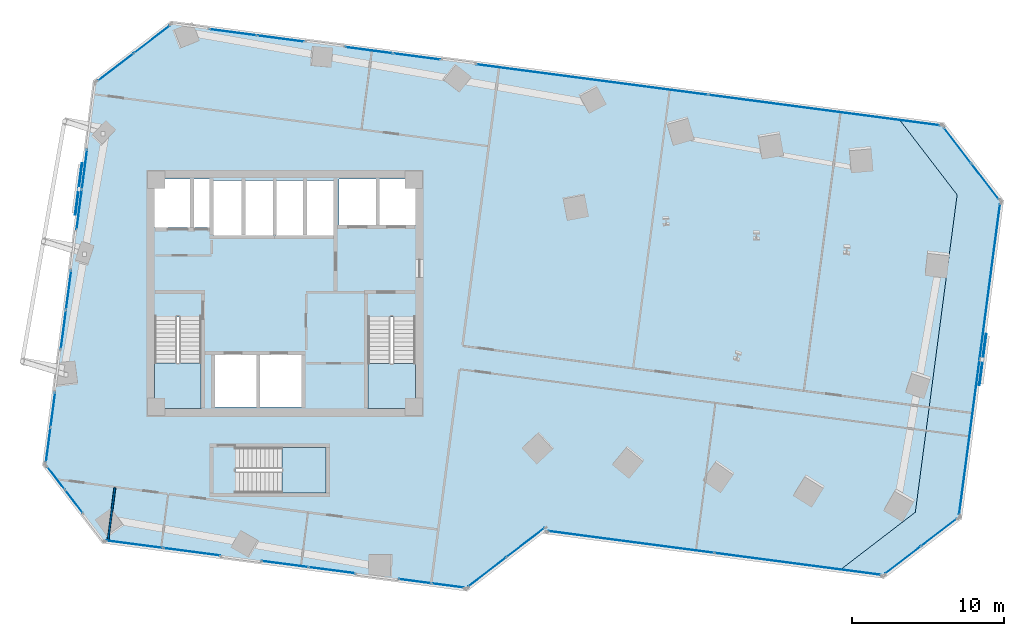
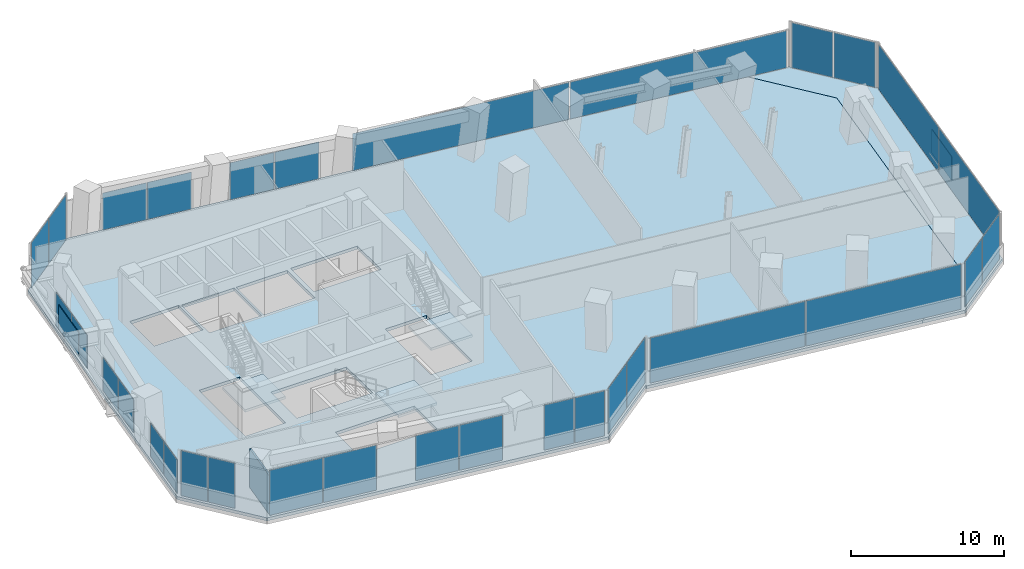
# One storey, part 17 of 24: 34 plates, 5 slabs, 1 wall, 19 elements without a shape of their own.
"""IFC4 building model written with IfcOpenShell, lengths in metres."""

from ifc_helpers import new_model, si_unit, direction, frame, frame_2d, origin, origin_2d, place, context, subcontext, project, spatial, polyline, rectangle, outline, extrude, source, transform, mapped, material, layer, layer_set, type_object, element, aggregate, save


model = new_model("IFC4")

# Units and contexts
model_context = context("Model", 3, precision=1e-05, world=origin(), true_north=direction((0.0, 1.0)))
body_context = subcontext(model_context, "Body", "Model", "MODEL_VIEW")
ifc_project = project(units=[si_unit("LENGTHUNIT", "METRE"), si_unit("AREAUNIT", "SQUARE_METRE"), si_unit("VOLUMEUNIT", "CUBIC_METRE"), si_unit("PLANEANGLEUNIT", "RADIAN"), si_unit("MASSUNIT", "GRAM", prefix="KILO")], contexts=[model_context])

# Site, building, storey
site_placement = place(None, origin())
site = spatial("IfcSite", under=ifc_project, at=site_placement, CompositionType="ELEMENT")
building_placement = place(site_placement, origin())
building = spatial("IfcBuilding", under=site, at=building_placement, Name="Torre Montelarca", CompositionType="ELEMENT")
storey_placement = place(building_placement, frame((0.0, 0.0, 70.60009765625)))
storey = spatial("IfcBuildingStorey", under=building, at=storey_placement, Name="L15", CompositionType="ELEMENT", Elevation=70.60009765625)

# Slabs
ifc_material_1 = material(Name="Concrete C40/50", Category="concrete")
ifc_layer_1 = layer(ifc_material_1, 0.239990234375, Name="Concrete C40/50", Category="concrete")
ifc_layer_set_1 = layer_set([ifc_layer_1], Name="Concrete C40/50")
slab_type_1 = type_object("IfcSlabType", Name="SL-FLR-240", PredefinedType="FLOOR", material=ifc_layer_set_1)
slab_1_placement = place(storey_placement, frame((0.0, 0.0, -0.239990234375)))
element("IfcSlab", 1, at=slab_1_placement, inside=storey, type_object=slab_type_1, Name="L15 Structural Floor Slab", PredefinedType="FLOOR", context=body_context, shape_type="SweptSolid", body=[
    extrude(outline(polyline([(29.93115234375, 12.532958984375), (34.97998046875, 16.406982421875), (34.967041015625, 16.30810546875), (54.30029296875, 13.7626953125), (59.34912109375, 17.63671875), (62.090087890625, 38.457275390625), (58.2158203125, 43.506103515625), (10.527587890625, 49.784423828125), (5.478515625, 45.91015625), (2.1630859375, 20.7275390625), (6.037353515625, 15.6787109375), (29.93115234375, 12.532958984375)]), holes=[polyline([(20.699951171875, 18.89990234375), (14.760009765625, 18.89990234375), (14.760009765625, 21.889892578125), (20.699951171875, 21.889892578125), (20.699951171875, 18.89990234375)]), polyline([(19.10009765625, 24.550048828125), (13.39990234375, 24.550048828125), (13.39990234375, 27.949951171875), (19.10009765625, 27.949951171875), (19.10009765625, 24.550048828125)]), polyline([(23.43994140625, 24.449951171875), (23.43994140625, 30.429931640625), (26.550048828125, 30.429931640625), (26.550048828125, 24.449951171875), (23.43994140625, 24.449951171875)]), polyline([(9.449951171875, 24.449951171875), (9.449951171875, 30.4599609375), (12.5, 30.4599609375), (12.5, 24.449951171875), (9.449951171875, 24.449951171875)]), polyline([(17.25, 35.800048828125), (13.300048828125, 35.800048828125), (13.300048828125, 39.39990234375), (17.25, 39.39990234375), (17.25, 35.800048828125)]), polyline([(21.25, 35.800048828125), (17.39990234375, 35.800048828125), (17.39990234375, 39.39990234375), (21.25, 39.39990234375), (21.25, 35.800048828125)]), polyline([(13.1201171875, 36.300048828125), (9.449951171875, 36.300048828125), (9.449951171875, 39.5), (13.1201171875, 39.5), (13.1201171875, 36.300048828125)]), polyline([(26.60009765625, 36.449951171875), (21.550048828125, 36.449951171875), (21.550048828125, 39.5), (26.60009765625, 39.5), (26.60009765625, 36.449951171875)])]), origin(), (0.0, 0.0, 1.0), 0.239990234375),
])
slab_2_placement = place(storey_placement, frame((0.0, 0.0, -0.239990234375)))
element("IfcSlab", 2, at=slab_2_placement, inside=storey, type_object=slab_type_1, Name="L15 Sliding Tray Winter Garden Floor Slab E1", PredefinedType="FLOOR", context=body_context, shape_type="SweptSolid", body=[
    extrude(outline(polyline([(58.2158203125, 43.506103515625), (62.090087890625, 38.457275390625), (59.34912109375, 17.63671875), (54.30029296875, 13.7626953125), (57.2744140625, 13.37109375), (62.323486328125, 17.245361328125), (65.064453125, 38.065673828125), (61.190185546875, 43.114501953125), (58.2158203125, 43.506103515625)])), origin(), (0.0, 0.0, 1.0), 0.239990234375),
])

# Stair, slab
stair_type_1 = type_object("IfcStairType", Name="ST-CORE-ST1", PredefinedType="HALF_TURN_STAIR", material=ifc_material_1)
stair_1_placement = place(storey_placement, origin())
stair_1 = element("IfcStair", 3, at=stair_1_placement, inside=storey, type_object=stair_type_1, Name="L15 Protected Exit Stair ST1", PredefinedType="HALF_TURN_STAIR")
ifc_layer_2 = layer(ifc_material_1, 0.199951171875, Name="Concrete C40/50", Category="concrete")
ifc_layer_set_2 = layer_set([ifc_layer_2], Name="Concrete C40/50")
slab_type_2 = type_object("IfcSlabType", Name="SL-ST-LAND-ST1", PredefinedType="LANDING", material=ifc_layer_set_2)
slab_3_placement = place(storey_placement, frame((0.0, 0.0, 1.89990234375)))
slab_3 = element("IfcSlab", 4, at=slab_3_placement, type_object=slab_type_2, Name="ST1 landing 1", PredefinedType="LANDING", context=body_context, shape_type="SweptSolid", body=[
    extrude(outline(polyline([(9.449951171875, 27.419921875), (9.449951171875, 24.449951171875), (12.5, 24.449951171875), (12.5, 27.419921875), (9.449951171875, 27.419921875)])), origin(), (0.0, 0.0, 1.0), 0.199951171875),
])
aggregate(stair_1, [slab_3])

stair_type_2 = type_object("IfcStairType", Name="ST-CORE-ST2", PredefinedType="HALF_TURN_STAIR", material=ifc_material_1)
stair_2_placement = place(storey_placement, origin())
stair_2 = element("IfcStair", 5, at=stair_2_placement, inside=storey, type_object=stair_type_2, Name="L15 Protected Exit Stair ST2", PredefinedType="HALF_TURN_STAIR")
ifc_layer_3 = layer(ifc_material_1, 0.199951171875, Name="Concrete C40/50", Category="concrete")
ifc_layer_set_3 = layer_set([ifc_layer_3], Name="Concrete C40/50")
slab_type_3 = type_object("IfcSlabType", Name="SL-ST-LAND-ST2", PredefinedType="LANDING", material=ifc_layer_set_3)
slab_4_placement = place(storey_placement, frame((0.0, 0.0, 1.89990234375)))
slab_4 = element("IfcSlab", 6, at=slab_4_placement, type_object=slab_type_3, Name="ST2 landing 1", PredefinedType="LANDING", context=body_context, shape_type="SweptSolid", body=[
    extrude(outline(polyline([(23.43994140625, 27.389892578125), (23.43994140625, 24.449951171875), (26.550048828125, 24.449951171875), (26.550048828125, 27.389892578125), (23.43994140625, 27.389892578125)])), origin(), (0.0, 0.0, 1.0), 0.199951171875),
])
aggregate(stair_2, [slab_4])

stair_type_3 = type_object("IfcStairType", Name="ST-CORE-ST3", PredefinedType="HALF_TURN_STAIR", material=ifc_material_1)
stair_3_placement = place(storey_placement, origin())
stair_3 = element("IfcStair", 7, at=stair_3_placement, inside=storey, type_object=stair_type_3, Name="L15 Low-Rise Exit Stair ST3", PredefinedType="HALF_TURN_STAIR")
ifc_layer_4 = layer(ifc_material_1, 0.199951171875, Name="Concrete C40/50", Category="concrete")
ifc_layer_set_4 = layer_set([ifc_layer_4], Name="Concrete C40/50")
slab_type_4 = type_object("IfcSlabType", Name="SL-ST-LAND-ST3", PredefinedType="LANDING", material=ifc_layer_set_4)
slab_5_placement = place(storey_placement, frame((0.0, 0.0, 1.89990234375)))
slab_5 = element("IfcSlab", 8, at=slab_5_placement, type_object=slab_type_4, Name="ST3 landing 1", PredefinedType="LANDING", context=body_context, shape_type="SweptSolid", body=[
    extrude(outline(polyline([(17.800048828125, 18.89990234375), (20.699951171875, 18.89990234375), (20.699951171875, 21.889892578125), (17.800048828125, 21.889892578125), (17.800048828125, 18.89990234375)])), origin(), (0.0, 0.0, 1.0), 0.199951171875),
])
aggregate(stair_3, [slab_5])

# Plates
ifc_material_2 = material(Name="Architectural perforated terracotta ceramic", Category="masonry")
ifc_layer_5 = layer(ifc_material_2, 0.074951171875, Name="Architectural perforated terracotta ceramic", Category="masonry")
ifc_layer_set_5 = layer_set([ifc_layer_5], Name="Architectural perforated terracotta ceramic")
plate_type_1 = type_object("IfcPlateType", Name="SCR-CER-75", PredefinedType="USERDEFINED", material=ifc_layer_set_5)
shared_shape_1 = source(origin(), body_context, "Body", "SweptSolid", [
    extrude(rectangle(XDim=3.39990234375, YDim=0.06005859375, at=origin_2d()), origin(), (0.0, 0.0, 1.0), 1.89990234375),
])
for number, where, z_axis, x_axis, name in (
    (9, (63.773193359375, 27.64501953125, 0.5), (0.0, 0.0, 1.0), (0.130524461822, 0.991445089183, 0.0), "L15 Perforated Ceramic Brise-Soleil Screen E6-1"),
    (10, (4.466064453125, 38.832275390625, 0.5), (0.0, 0.0, 1.0), (-0.130527922618, -0.991444633561, 0.0), "L15 Perforated Ceramic Brise-Soleil Screen E10-1"),
):
    element("IfcPlate", number, at=place(storey_placement, frame(where, z_axis=z_axis, x_axis=x_axis)), inside=storey, type_object=plate_type_1, Name=name, ObjectType="SOLAR SCREEN", PredefinedType="USERDEFINED", context=body_context, shape_type="MappedRepresentation", body=[
        mapped(shared_shape_1, transform((0.0, 0.0, 0.0), scale=1.0)),
    ])

# Curtain wall, plates
ifc_material_3 = material(Name="Insulated low-E laminated glass", Category="glass")
curtain_wall_type = type_object("IfcCurtainWallType", Name="CW-SYS-Z1", PredefinedType="USERDEFINED", material=ifc_material_3)
curtain_wall_1_placement = place(storey_placement, origin())
curtain_wall_1 = element("IfcCurtainWall", 11, at=curtain_wall_1_placement, inside=storey, type_object=curtain_wall_type, Name="L15 Curtain Wall Run CW-T3-L15-E02-B1", ObjectType="UNITISED GLAZING", PredefinedType="USERDEFINED")
ifc_layer_6 = layer(ifc_material_3, 0.028076171875, Name="Insulated low-E laminated glass", Category="glass")
ifc_layer_set_6 = layer_set([ifc_layer_6], Name="Insulated low-E laminated glass")
plate_type_2 = type_object("IfcPlateType", Name="CWP-GLZ-28", PredefinedType="CURTAIN_PANEL", material=ifc_layer_set_6)
shared_shape_2 = source(origin(), body_context, "Body", "SweptSolid", [
    extrude(rectangle(XDim=3.102294921875, YDim=0.028076171875, at=origin_2d()), origin(), (0.0, 0.0, 1.0), 3.590087890625),
])
plate_1_placement = place(storey_placement, frame((31.265869140625, 13.720947265625, 0.06494140625), z_axis=(0.0, 0.0, 1.0), x_axis=(0.793357061953, 0.608756578814, 0.0)))
plate_1 = element("IfcPlate", 12, at=plate_1_placement, type_object=plate_type_2, Name="CW panel 1.1", PredefinedType="CURTAIN_PANEL", context=body_context, shape_type="MappedRepresentation", body=[
    mapped(shared_shape_2, transform((0.0, 0.0, 0.0), scale=1.0)),
])
plate_2_placement = place(storey_placement, frame((33.778564453125, 15.649169921875, 0.06494140625), z_axis=(0.0, 0.0, 1.0), x_axis=(0.793357061953, 0.608756578814, 0.0)))
plate_2 = element("IfcPlate", 13, at=plate_2_placement, type_object=plate_type_2, Name="CW panel 2.1", PredefinedType="CURTAIN_PANEL", context=body_context, shape_type="MappedRepresentation", body=[
    mapped(shared_shape_2, transform((0.0, 0.0, 0.0), scale=1.0)),
])
aggregate(curtain_wall_1, [plate_1, plate_2])

curtain_wall_2_placement = place(storey_placement, origin())
curtain_wall_2 = element("IfcCurtainWall", 14, at=curtain_wall_2_placement, inside=storey, type_object=curtain_wall_type, Name="L15 Curtain Wall Run CW-T3-L15-E04-B1", ObjectType="UNITISED GLAZING", PredefinedType="USERDEFINED")
shared_shape_3 = source(origin(), body_context, "Body", "SweptSolid", [
    extrude(rectangle(XDim=10.94873046875, YDim=0.028076171875, at=origin_2d()), origin(), (0.0, 0.0, 1.0), 3.590087890625),
])
plate_3_placement = place(storey_placement, frame((40.7158203125, 15.68212890625, 0.06494140625), z_axis=(0.0, 0.0, 1.0), x_axis=(0.991445588591, -0.130520668339, 0.0)))
plate_3 = element("IfcPlate", 15, at=plate_3_placement, type_object=plate_type_2, Name="CW panel 1.1", PredefinedType="CURTAIN_PANEL", context=body_context, shape_type="MappedRepresentation", body=[
    mapped(shared_shape_3, transform((0.0, 0.0, 0.0), scale=1.0)),
])
plate_4_placement = place(storey_placement, frame((51.63525390625, 14.24462890625, 0.06494140625), z_axis=(0.0, 0.0, 1.0), x_axis=(0.991445588591, -0.130520668339, 0.0)))
plate_4 = element("IfcPlate", 16, at=plate_4_placement, type_object=plate_type_2, Name="CW panel 2.1", PredefinedType="CURTAIN_PANEL", context=body_context, shape_type="MappedRepresentation", body=[
    mapped(shared_shape_3, transform((0.0, 0.0, 0.0), scale=1.0)),
])
aggregate(curtain_wall_2, [plate_3, plate_4])

curtain_wall_3_placement = place(storey_placement, origin())
curtain_wall_3 = element("IfcCurtainWall", 17, at=curtain_wall_3_placement, inside=storey, type_object=curtain_wall_type, Name="L15 Curtain Wall Run CW-T3-L15-E05-B1", ObjectType="UNITISED GLAZING", PredefinedType="USERDEFINED")
shared_shape_4 = source(origin(), body_context, "Body", "SweptSolid", [
    extrude(rectangle(XDim=2.918701171875, YDim=0.028076171875, at=origin_2d()), origin(), (0.0, 0.0, 1.0), 3.590087890625),
])
plate_5_placement = place(storey_placement, frame((58.5361328125, 14.503173828125, 0.06494140625), z_axis=(0.0, 0.0, 1.0), x_axis=(0.793351218581, 0.608764194066, 0.0)))
plate_5 = element("IfcPlate", 18, at=plate_5_placement, type_object=plate_type_2, Name="CW panel 1.1", PredefinedType="CURTAIN_PANEL", context=body_context, shape_type="MappedRepresentation", body=[
    mapped(shared_shape_4, transform((0.0, 0.0, 0.0), scale=1.0)),
])
plate_6_placement = place(storey_placement, frame((60.9033203125, 16.319580078125, 0.06494140625), z_axis=(0.0, 0.0, 1.0), x_axis=(0.793351218581, 0.608764194066, 0.0)))
plate_6 = element("IfcPlate", 19, at=plate_6_placement, type_object=plate_type_2, Name="CW panel 2.1", PredefinedType="CURTAIN_PANEL", context=body_context, shape_type="MappedRepresentation", body=[
    mapped(shared_shape_4, transform((0.0, 0.0, 0.0), scale=1.0)),
])
aggregate(curtain_wall_3, [plate_5, plate_6])

curtain_wall_4_placement = place(storey_placement, origin())
curtain_wall_4 = element("IfcCurtainWall", 20, at=curtain_wall_4_placement, inside=storey, type_object=curtain_wall_type, Name="L15 Curtain Wall Run CW-T3-L15-E07-B1", ObjectType="UNITISED GLAZING", PredefinedType="USERDEFINED")
plate_7_placement = place(storey_placement, frame((63.932373046875, 39.327392578125, 0.06494140625), z_axis=(0.0, 0.0, 1.0), x_axis=(-0.608753760122, 0.793359224776, 0.0)))
plate_7 = element("IfcPlate", 21, at=plate_7_placement, type_object=plate_type_2, Name="CW panel 1.1", PredefinedType="CURTAIN_PANEL", context=body_context, shape_type="MappedRepresentation", body=[
    mapped(shared_shape_4, transform((0.0, 0.0, 0.0), scale=1.0)),
])
plate_8_placement = place(storey_placement, frame((62.115966796875, 41.6943359375, 0.06494140625), z_axis=(0.0, 0.0, 1.0), x_axis=(-0.608753760122, 0.793359224776, 0.0)))
plate_8 = element("IfcPlate", 22, at=plate_8_placement, type_object=plate_type_2, Name="CW panel 2.1", PredefinedType="CURTAIN_PANEL", context=body_context, shape_type="MappedRepresentation", body=[
    mapped(shared_shape_4, transform((0.0, 0.0, 0.0), scale=1.0)),
])
aggregate(curtain_wall_4, [plate_7, plate_8])

curtain_wall_5_placement = place(storey_placement, origin())
curtain_wall_5 = element("IfcCurtainWall", 23, at=curtain_wall_5_placement, inside=storey, type_object=curtain_wall_type, Name="L15 Curtain Wall Run CW-T3-L15-E09-B1", ObjectType="UNITISED GLAZING", PredefinedType="USERDEFINED")
plate_9_placement = place(storey_placement, frame((9.265869140625, 48.65234375, 0.06494140625), z_axis=(0.0, 0.0, 1.0), x_axis=(-0.793351218581, -0.608764194066, 0.0)))
plate_9 = element("IfcPlate", 24, at=plate_9_placement, type_object=plate_type_2, Name="CW panel 1.1", PredefinedType="CURTAIN_PANEL", context=body_context, shape_type="MappedRepresentation", body=[
    mapped(shared_shape_4, transform((0.0, 0.0, 0.0), scale=1.0)),
])
plate_10_placement = place(storey_placement, frame((6.898681640625, 46.8359375, 0.06494140625), z_axis=(0.0, 0.0, 1.0), x_axis=(-0.793351218581, -0.608764194066, 0.0)))
plate_10 = element("IfcPlate", 25, at=plate_10_placement, type_object=plate_type_2, Name="CW panel 2.1", PredefinedType="CURTAIN_PANEL", context=body_context, shape_type="MappedRepresentation", body=[
    mapped(shared_shape_4, transform((0.0, 0.0, 0.0), scale=1.0)),
])
aggregate(curtain_wall_5, [plate_9, plate_10])

curtain_wall_6_placement = place(storey_placement, origin())
curtain_wall_6 = element("IfcCurtainWall", 26, at=curtain_wall_6_placement, inside=storey, type_object=curtain_wall_type, Name="L15 Curtain Wall Run CW-T3-L15-E01-B1", ObjectType="UNITISED GLAZING", PredefinedType="USERDEFINED")
shared_shape_5 = source(origin(), body_context, "Body", "SweptSolid", [
    extrude(rectangle(XDim=3.73095703125, YDim=0.028076171875, at=origin_2d()), origin(), (0.0, 0.0, 1.0), 3.590087890625),
])
plate_11_placement = place(storey_placement, frame((8.1328125, 15.533935546875, 0.06494140625), z_axis=(0.0, 0.0, 1.0), x_axis=(0.991445758783, -0.13051937554, 0.0)))
plate_11 = element("IfcPlate", 27, at=plate_11_placement, type_object=plate_type_2, Name="CW panel 1.1", PredefinedType="CURTAIN_PANEL", context=body_context, shape_type="MappedRepresentation", body=[
    mapped(shared_shape_5, transform((0.0, 0.0, 0.0), scale=1.0)),
])
plate_12_placement = place(storey_placement, frame((11.896484375, 15.038330078125, 0.06494140625), z_axis=(0.0, 0.0, 1.0), x_axis=(0.991445758783, -0.13051937554, 0.0)))
plate_12 = element("IfcPlate", 28, at=plate_12_placement, type_object=plate_type_2, Name="CW panel 2.1", PredefinedType="CURTAIN_PANEL", context=body_context, shape_type="MappedRepresentation", body=[
    mapped(shared_shape_5, transform((0.0, 0.0, 0.0), scale=1.0)),
])
aggregate(curtain_wall_6, [plate_11, plate_12])

curtain_wall_7_placement = place(storey_placement, origin())
curtain_wall_7 = element("IfcCurtainWall", 29, at=curtain_wall_7_placement, inside=storey, type_object=curtain_wall_type, Name="L15 Curtain Wall Run CW-T3-L15-E01-B2", ObjectType="UNITISED GLAZING", PredefinedType="USERDEFINED")
shared_shape_6 = source(origin(), body_context, "Body", "SweptSolid", [
    extrude(rectangle(XDim=3.04443359375, YDim=0.028076171875, at=origin_2d()), origin(), (0.0, 0.0, 1.0), 3.590087890625),
])
plate_13_placement = place(storey_placement, frame((17.994140625, 14.235595703125, 0.06494140625), z_axis=(0.0, 0.0, 1.0), x_axis=(0.991445030762, -0.130524905583, 0.0)))
plate_13 = element("IfcPlate", 30, at=plate_13_placement, type_object=plate_type_2, Name="CW panel 1.1", PredefinedType="CURTAIN_PANEL", context=body_context, shape_type="MappedRepresentation", body=[
    mapped(shared_shape_6, transform((0.0, 0.0, 0.0), scale=1.0)),
])
plate_14_placement = place(storey_placement, frame((21.076904296875, 13.829833984375, 0.06494140625), z_axis=(0.0, 0.0, 1.0), x_axis=(0.991445030762, -0.130524905583, 0.0)))
plate_14 = element("IfcPlate", 31, at=plate_14_placement, type_object=plate_type_2, Name="CW panel 2.1", PredefinedType="CURTAIN_PANEL", context=body_context, shape_type="MappedRepresentation", body=[
    mapped(shared_shape_6, transform((0.0, 0.0, 0.0), scale=1.0)),
])
aggregate(curtain_wall_7, [plate_13, plate_14])

curtain_wall_8_placement = place(storey_placement, origin())
curtain_wall_8 = element("IfcCurtainWall", 32, at=curtain_wall_8_placement, inside=storey, type_object=curtain_wall_type, Name="L15 Curtain Wall Run CW-T3-L15-E01-B3", ObjectType="UNITISED GLAZING", PredefinedType="USERDEFINED")
shared_shape_7 = source(origin(), body_context, "Body", "SweptSolid", [
    extrude(rectangle(XDim=2.105224609375, YDim=0.028076171875, at=origin_2d()), origin(), (0.0, 0.0, 1.0), 3.590087890625),
])
plate_15_placement = place(storey_placement, frame((26.52392578125, 13.11279296875, 0.06494140625), z_axis=(0.0, 0.0, 1.0), x_axis=(0.991446568157, -0.130513227256, 0.0)))
plate_15 = element("IfcPlate", 33, at=plate_15_placement, type_object=plate_type_2, Name="CW panel 1.1", PredefinedType="CURTAIN_PANEL", context=body_context, shape_type="MappedRepresentation", body=[
    mapped(shared_shape_7, transform((0.0, 0.0, 0.0), scale=1.0)),
])
plate_16_placement = place(storey_placement, frame((28.67578125, 12.82958984375, 0.06494140625), z_axis=(0.0, 0.0, 1.0), x_axis=(0.991446568157, -0.130513227256, 0.0)))
plate_16 = element("IfcPlate", 34, at=plate_16_placement, type_object=plate_type_2, Name="CW panel 2.1", PredefinedType="CURTAIN_PANEL", context=body_context, shape_type="MappedRepresentation", body=[
    mapped(shared_shape_7, transform((0.0, 0.0, 0.0), scale=1.0)),
])
aggregate(curtain_wall_8, [plate_15, plate_16])

curtain_wall_9_placement = place(storey_placement, origin())
curtain_wall_9 = element("IfcCurtainWall", 35, at=curtain_wall_9_placement, inside=storey, type_object=curtain_wall_type, Name="L15 Curtain Wall Run CW-T3-L15-E06-B1", ObjectType="UNITISED GLAZING", PredefinedType="USERDEFINED")
shared_shape_8 = source(origin(), body_context, "Body", "SweptSolid", [
    extrude(rectangle(XDim=10.236572265625, YDim=0.028076171875, at=origin_2d()), origin(), (0.0, 0.0, 1.0), 3.590087890625),
])
plate_17_placement = place(storey_placement, frame((62.892822265625, 22.565673828125, 0.06494140625), z_axis=(0.0, 0.0, 1.0), x_axis=(0.130518718127, 0.991445845328, 0.0)))
plate_17 = element("IfcPlate", 36, at=plate_17_placement, type_object=plate_type_2, Name="CW panel 1.1", PredefinedType="CURTAIN_PANEL", context=body_context, shape_type="MappedRepresentation", body=[
    mapped(shared_shape_8, transform((0.0, 0.0, 0.0), scale=1.0)),
])
plate_18_placement = place(storey_placement, frame((64.2373046875, 32.779296875, 0.06494140625), z_axis=(0.0, 0.0, 1.0), x_axis=(0.130518718127, 0.991445845328, 0.0)))
plate_18 = element("IfcPlate", 37, at=plate_18_placement, type_object=plate_type_2, Name="CW panel 2.1", PredefinedType="CURTAIN_PANEL", context=body_context, shape_type="MappedRepresentation", body=[
    mapped(shared_shape_8, transform((0.0, 0.0, 0.0), scale=1.0)),
])
aggregate(curtain_wall_9, [plate_17, plate_18])

curtain_wall_10_placement = place(storey_placement, origin())
curtain_wall_10 = element("IfcCurtainWall", 38, at=curtain_wall_10_placement, inside=storey, type_object=curtain_wall_type, Name="L15 Curtain Wall Run CW-T3-L15-E08-B1", ObjectType="UNITISED GLAZING", PredefinedType="USERDEFINED")
shared_shape_9 = source(origin(), body_context, "Body", "SweptSolid", [
    extrude(rectangle(XDim=15.2900390625, YDim=0.028076171875, at=origin_2d()), origin(), (0.0, 0.0, 1.0), 2.945068359375),
])
plate_19_placement = place(storey_placement, frame((53.364990234375, 44.013671875, 0.06494140625), z_axis=(0.0, 0.0, 1.0), x_axis=(-0.991444980566, 0.130525286859, 0.0)))
plate_19 = element("IfcPlate", 39, at=plate_19_placement, type_object=plate_type_2, Name="CW panel 1.1", PredefinedType="CURTAIN_PANEL", context=body_context, shape_type="MappedRepresentation", body=[
    mapped(shared_shape_9, transform((0.0, 0.0, 0.0), scale=1.0)),
])
plate_20_placement = place(storey_placement, frame((38.141357421875, 46.017822265625, 0.06494140625), z_axis=(0.0, 0.0, 1.0), x_axis=(-0.991444980566, 0.130525286859, 0.0)))
plate_20 = element("IfcPlate", 40, at=plate_20_placement, type_object=plate_type_2, Name="CW panel 2.1", PredefinedType="CURTAIN_PANEL", context=body_context, shape_type="MappedRepresentation", body=[
    mapped(shared_shape_9, transform((0.0, 0.0, 0.0), scale=1.0)),
])
aggregate(curtain_wall_10, [plate_19, plate_20])

curtain_wall_11_placement = place(storey_placement, origin())
curtain_wall_11 = element("IfcCurtainWall", 41, at=curtain_wall_11_placement, inside=storey, type_object=curtain_wall_type, Name="L15 Curtain Wall Run CW-T3-L15-E08-B2", ObjectType="UNITISED GLAZING", PredefinedType="USERDEFINED")
shared_shape_10 = source(origin(), body_context, "Body", "SweptSolid", [
    extrude(rectangle(XDim=3.10498046875, YDim=0.028076171875, at=origin_2d()), origin(), (0.0, 0.0, 1.0), 2.945068359375),
])
plate_21_placement = place(storey_placement, frame((26.65283203125, 47.5302734375, 0.06494140625), z_axis=(0.0, 0.0, 1.0), x_axis=(-0.991445525178, 0.13052115003, 0.0)))
plate_21 = element("IfcPlate", 42, at=plate_21_placement, type_object=plate_type_2, Name="CW panel 1.1", PredefinedType="CURTAIN_PANEL", context=body_context, shape_type="MappedRepresentation", body=[
    mapped(shared_shape_10, transform((0.0, 0.0, 0.0), scale=1.0)),
])
plate_22_placement = place(storey_placement, frame((23.510009765625, 47.944091796875, 0.06494140625), z_axis=(0.0, 0.0, 1.0), x_axis=(-0.991445525178, 0.13052115003, 0.0)))
plate_22 = element("IfcPlate", 43, at=plate_22_placement, type_object=plate_type_2, Name="CW panel 2.1", PredefinedType="CURTAIN_PANEL", context=body_context, shape_type="MappedRepresentation", body=[
    mapped(shared_shape_10, transform((0.0, 0.0, 0.0), scale=1.0)),
])
aggregate(curtain_wall_11, [plate_21, plate_22])

curtain_wall_12_placement = place(storey_placement, origin())
curtain_wall_12 = element("IfcCurtainWall", 44, at=curtain_wall_12_placement, inside=storey, type_object=curtain_wall_type, Name="L15 Curtain Wall Run CW-T3-L15-E08-B3", ObjectType="UNITISED GLAZING", PredefinedType="USERDEFINED")
shared_shape_11 = source(origin(), body_context, "Body", "SweptSolid", [
    extrude(rectangle(XDim=3.101806640625, YDim=0.028076171875, at=origin_2d()), origin(), (0.0, 0.0, 1.0), 2.945068359375),
])
plate_23_placement = place(storey_placement, frame((17.733642578125, 48.70458984375, 0.06494140625), z_axis=(0.0, 0.0, 1.0), x_axis=(-0.991444664778, 0.130527685501, 0.0)))
plate_23 = element("IfcPlate", 45, at=plate_23_placement, type_object=plate_type_2, Name="CW panel 1.1", PredefinedType="CURTAIN_PANEL", context=body_context, shape_type="MappedRepresentation", body=[
    mapped(shared_shape_11, transform((0.0, 0.0, 0.0), scale=1.0)),
])
plate_24_placement = place(storey_placement, frame((14.593994140625, 49.117919921875, 0.06494140625), z_axis=(0.0, 0.0, 1.0), x_axis=(-0.991444664778, 0.130527685501, 0.0)))
plate_24 = element("IfcPlate", 46, at=plate_24_placement, type_object=plate_type_2, Name="CW panel 2.1", PredefinedType="CURTAIN_PANEL", context=body_context, shape_type="MappedRepresentation", body=[
    mapped(shared_shape_11, transform((0.0, 0.0, 0.0), scale=1.0)),
])
aggregate(curtain_wall_12, [plate_23, plate_24])

curtain_wall_13_placement = place(storey_placement, origin())
curtain_wall_13 = element("IfcCurtainWall", 47, at=curtain_wall_13_placement, inside=storey, type_object=curtain_wall_type, Name="L15 Curtain Wall Run CW-T3-L15-E10-B1", ObjectType="UNITISED GLAZING", PredefinedType="USERDEFINED")
shared_shape_12 = source(origin(), body_context, "Body", "SweptSolid", [
    extrude(rectangle(XDim=2.587890625, YDim=0.028076171875, at=origin_2d()), origin(), (0.0, 0.0, 1.0), 2.64501953125),
])
plate_25_placement = place(storey_placement, frame((4.847412109375, 40.119873046875, 0.06494140625), z_axis=(0.0, 0.0, 1.0), x_axis=(-0.130524352098, -0.991445103629, 0.0)))
plate_25 = element("IfcPlate", 48, at=plate_25_placement, type_object=plate_type_2, Name="CW panel 1.1", PredefinedType="CURTAIN_PANEL", context=body_context, shape_type="MappedRepresentation", body=[
    mapped(shared_shape_12, transform((0.0, 0.0, 0.0), scale=1.0)),
])
plate_26_placement = place(storey_placement, frame((4.501220703125, 37.48974609375, 0.06494140625), z_axis=(0.0, 0.0, 1.0), x_axis=(-0.130524352098, -0.991445103629, 0.0)))
plate_26 = element("IfcPlate", 49, at=plate_26_placement, type_object=plate_type_2, Name="CW panel 2.1", PredefinedType="CURTAIN_PANEL", context=body_context, shape_type="MappedRepresentation", body=[
    mapped(shared_shape_12, transform((0.0, 0.0, 0.0), scale=1.0)),
])
aggregate(curtain_wall_13, [plate_25, plate_26])

curtain_wall_14_placement = place(storey_placement, origin())
curtain_wall_14 = element("IfcCurtainWall", 50, at=curtain_wall_14_placement, inside=storey, type_object=curtain_wall_type, Name="L15 Curtain Wall Run CW-T3-L15-E10-B2", ObjectType="UNITISED GLAZING", PredefinedType="USERDEFINED")
shared_shape_13 = source(origin(), body_context, "Body", "SweptSolid", [
    extrude(rectangle(XDim=2.547607421875, YDim=0.028076171875, at=origin_2d()), origin(), (0.0, 0.0, 1.0), 2.64501953125),
])
plate_27_placement = place(storey_placement, frame((3.80615234375, 32.210205078125, 0.06494140625), z_axis=(0.0, 0.0, 1.0), x_axis=(-0.130527860946, -0.99144464168, 0.0)))
plate_27 = element("IfcPlate", 51, at=plate_27_placement, type_object=plate_type_2, Name="CW panel 1.1", PredefinedType="CURTAIN_PANEL", context=body_context, shape_type="MappedRepresentation", body=[
    mapped(shared_shape_13, transform((0.0, 0.0, 0.0), scale=1.0)),
])
plate_28_placement = place(storey_placement, frame((3.465087890625, 29.6201171875, 0.06494140625), z_axis=(0.0, 0.0, 1.0), x_axis=(-0.130527860946, -0.99144464168, 0.0)))
plate_28 = element("IfcPlate", 52, at=plate_28_placement, type_object=plate_type_2, Name="CW panel 2.1", PredefinedType="CURTAIN_PANEL", context=body_context, shape_type="MappedRepresentation", body=[
    mapped(shared_shape_13, transform((0.0, 0.0, 0.0), scale=1.0)),
])
aggregate(curtain_wall_14, [plate_27, plate_28])

curtain_wall_15_placement = place(storey_placement, origin())
curtain_wall_15 = element("IfcCurtainWall", 53, at=curtain_wall_15_placement, inside=storey, type_object=curtain_wall_type, Name="L15 Curtain Wall Run CW-T3-L15-E10-B3", ObjectType="UNITISED GLAZING", PredefinedType="USERDEFINED")
shared_shape_14 = source(origin(), body_context, "Body", "SweptSolid", [
    extrude(rectangle(XDim=2.251953125, YDim=0.028076171875, at=origin_2d()), origin(), (0.0, 0.0, 1.0), 2.64501953125),
])
plate_29_placement = place(storey_placement, frame((2.771728515625, 24.352783203125, 0.06494140625), z_axis=(0.0, 0.0, 1.0), x_axis=(-0.130525531156, -0.991444948404, 0.0)))
plate_29 = element("IfcPlate", 54, at=plate_29_placement, type_object=plate_type_2, Name="CW panel 1.1", PredefinedType="CURTAIN_PANEL", context=body_context, shape_type="MappedRepresentation", body=[
    mapped(shared_shape_14, transform((0.0, 0.0, 0.0), scale=1.0)),
])
plate_30_placement = place(storey_placement, frame((2.46923828125, 22.0556640625, 0.06494140625), z_axis=(0.0, 0.0, 1.0), x_axis=(-0.130525531156, -0.991444948404, 0.0)))
plate_30 = element("IfcPlate", 55, at=plate_30_placement, type_object=plate_type_2, Name="CW panel 2.1", PredefinedType="CURTAIN_PANEL", context=body_context, shape_type="MappedRepresentation", body=[
    mapped(shared_shape_14, transform((0.0, 0.0, 0.0), scale=1.0)),
])
aggregate(curtain_wall_15, [plate_29, plate_30])

curtain_wall_16_placement = place(storey_placement, origin())
curtain_wall_16 = element("IfcCurtainWall", 56, at=curtain_wall_16_placement, inside=storey, type_object=curtain_wall_type, Name="L15 Curtain Wall Run CW-T3-L15-E11-B1", ObjectType="UNITISED GLAZING", PredefinedType="USERDEFINED")
shared_shape_15 = source(origin(), body_context, "Body", "SweptSolid", [
    extrude(rectangle(XDim=1.870849609375, YDim=0.028076171875, at=origin_2d()), origin(), (0.0, 0.0, 1.0), 3.590087890625),
])
plate_31_placement = place(storey_placement, frame((2.976318359375, 19.88134765625, 0.06494140625), z_axis=(0.0, 0.0, 1.0), x_axis=(0.608762647027, -0.793352405672, 0.0)))
plate_31 = element("IfcPlate", 57, at=plate_31_placement, type_object=plate_type_2, Name="CW panel 1.1", PredefinedType="CURTAIN_PANEL", context=body_context, shape_type="MappedRepresentation", body=[
    mapped(shared_shape_15, transform((0.0, 0.0, 0.0), scale=1.0)),
])
plate_32_placement = place(storey_placement, frame((4.15478515625, 18.345458984375, 0.06494140625), z_axis=(0.0, 0.0, 1.0), x_axis=(0.608762647027, -0.793352405672, 0.0)))
plate_32 = element("IfcPlate", 58, at=plate_32_placement, type_object=plate_type_2, Name="CW panel 2.1", PredefinedType="CURTAIN_PANEL", context=body_context, shape_type="MappedRepresentation", body=[
    mapped(shared_shape_15, transform((0.0, 0.0, 0.0), scale=1.0)),
])
aggregate(curtain_wall_16, [plate_31, plate_32])

# Wall
ifc_material_4 = material(Name="Gypsum plasterboard on steel stud", Category="steel")
ifc_layer_7 = layer(ifc_material_4, 0.114990234375, Name="Gypsum plasterboard on steel stud", Category="steel")
ifc_layer_set_7 = layer_set([ifc_layer_7], Name="Gypsum plasterboard on steel stud")
wall_type = type_object("IfcWallType", Name="PW-PART-115", PredefinedType="PARTITIONING", material=ifc_layer_set_7)
wall_placement = place(storey_placement, frame((6.387939453125, 15.814208984375, 0.0), z_axis=(0.0, 0.0, 1.0), x_axis=(0.130587375571, 0.991436804512, 0.0)))
element("IfcWall", 59, at=wall_placement, inside=storey, type_object=wall_type, Name="L15 Interior Partition W-L15-WCD", PredefinedType="PARTITIONING", context=body_context, shape_type="SweptSolid", body=[
    extrude(rectangle(XDim=3.469970703125, YDim=0.114990234375, at=frame_2d((1.73486328125, 0.0))), origin(), (0.0, 0.0, 1.0), 3.094970703125),
])

save(model, "model.ifc")
